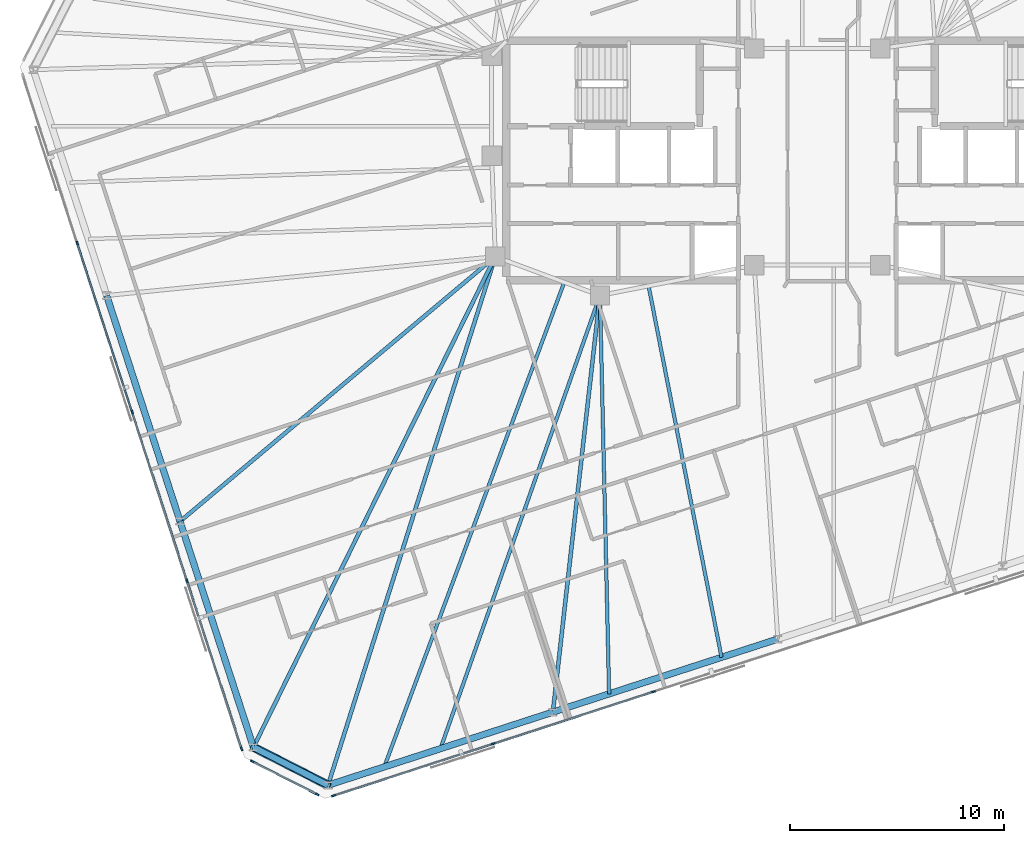
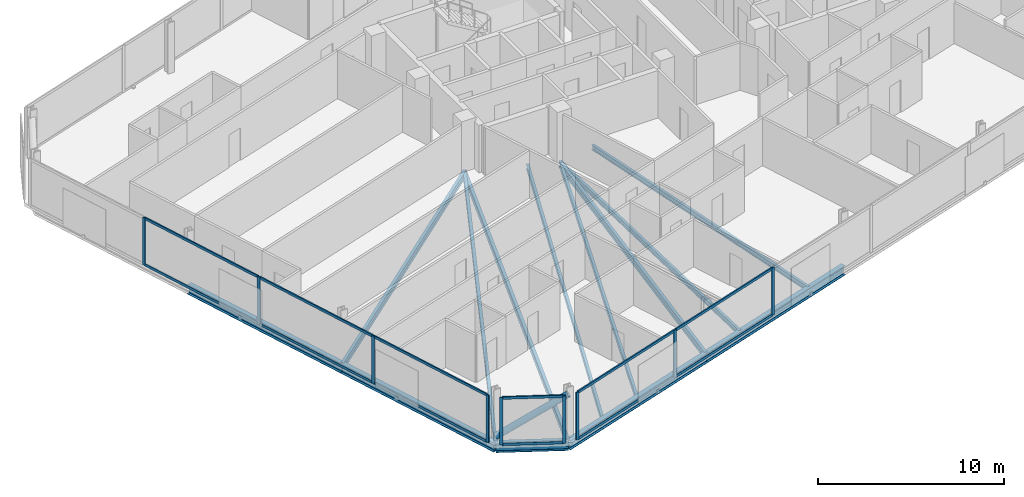
# One storey, part 5 of 19: 22 members, 13 beams, 3 elements without a shape of their own.
"""IFC4 building model written with IfcOpenShell, lengths in metres."""

from ifc_helpers import new_model, si_unit, direction, frame, origin, origin_2d, place, context, subcontext, project, spatial, rectangle, hollow_circle, i_section, extrude, material, material_profile, profile_set, type_object, element, aggregate, save


model = new_model("IFC4")

# Units and contexts
model_context = context("Model", 3, precision=1e-05, world=origin(), true_north=direction((0.0, 1.0)))
body_context = subcontext(model_context, "Body", "Model", "MODEL_VIEW")
ifc_project = project(units=[si_unit("LENGTHUNIT", "METRE"), si_unit("AREAUNIT", "SQUARE_METRE"), si_unit("VOLUMEUNIT", "CUBIC_METRE"), si_unit("PLANEANGLEUNIT", "RADIAN"), si_unit("MASSUNIT", "GRAM", prefix="KILO")], contexts=[model_context])

# Site, building, storey
site_placement = place(None, origin())
site = spatial("IfcSite", under=ifc_project, at=site_placement, CompositionType="ELEMENT")
building_placement = place(site_placement, origin())
building = spatial("IfcBuilding", under=site, at=building_placement, Name="Menara Jurai Vektor", CompositionType="ELEMENT")
storey_placement = place(building_placement, frame((0.0, 0.0, 241.050048828125)))
storey = spatial("IfcBuildingStorey", under=building, at=storey_placement, Name="L64", CompositionType="ELEMENT", Elevation=241.050048828125)

# Curtain wall, members
ifc_material_1 = material(Name="Anodised Pale Aluminium & Low-E Double Glazing", Category="aluminium")
curtain_wall_type = type_object("IfcCurtainWallType", Name="CW-BLK4", PredefinedType="NOTDEFINED", material=ifc_material_1)
curtain_wall_1_placement = place(storey_placement, origin())
curtain_wall_1 = element("IfcCurtainWall", 1, at=curtain_wall_1_placement, inside=storey, type_object=curtain_wall_type, Name="Unitised Curtain Wall L64 F01", PredefinedType="NOTDEFINED")
ifc_material_2 = material(Name="Anodised Pale Aluminium Mullion", Category="aluminium")
ifc_material_profile_1 = material_profile(ifc_material_2, rectangle(XDim=0.080078125, YDim=0.18994140625, at=origin_2d()), Name="ALU MUL 80x190")
ifc_profile_set_1 = profile_set([ifc_material_profile_1], Name="Anodised Pale Aluminium Mullion")
member_type_1 = type_object("IfcMemberType", Name="CW-BLK4-MUL", PredefinedType="MULLION", material=ifc_profile_set_1)
member_1_placement = place(storey_placement, frame((-22.649658203125, -29.743896484375, 0.0), z_axis=(0.0, 0.0, 1.0), x_axis=(-0.309017344167, 0.951056402641, 0.0)))
member_1 = element("IfcMember", 2, at=member_1_placement, type_object=member_type_1, Name="CW-04 mullion 1", PredefinedType="MULLION", context=body_context, shape_type="SweptSolid", body=[
    extrude(rectangle(XDim=0.080078125, YDim=0.18994140625, at=origin_2d()), origin(), (0.0, 0.0, 1.0), 3.125),
])
member_2_placement = place(storey_placement, frame((-15.1826171875, -27.317626953125, 0.0), z_axis=(0.0, 0.0, 1.0), x_axis=(-0.309017344167, 0.951056402641, 0.0)))
member_2 = element("IfcMember", 3, at=member_2_placement, type_object=member_type_1, Name="CW-04 mullion 2", PredefinedType="MULLION", context=body_context, shape_type="SweptSolid", body=[
    extrude(rectangle(XDim=0.080078125, YDim=0.18994140625, at=origin_2d()), origin(), (0.0, 0.0, 1.0), 3.125),
])
member_3_placement = place(storey_placement, frame((-7.677490234375, -24.879150390625, 0.0), z_axis=(0.0, 0.0, 1.0), x_axis=(-0.309017344167, 0.951056402641, 0.0)))
member_3 = element("IfcMember", 4, at=member_3_placement, type_object=member_type_1, Name="CW-04 mullion 3", PredefinedType="MULLION", context=body_context, shape_type="SweptSolid", body=[
    extrude(rectangle(XDim=0.080078125, YDim=0.18994140625, at=origin_2d()), origin(), (0.0, 0.0, 1.0), 3.125),
])

curtain_wall_2_placement = place(storey_placement, origin())
curtain_wall_2 = element("IfcCurtainWall", 5, at=curtain_wall_2_placement, inside=storey, type_object=curtain_wall_type, Name="Unitised Curtain Wall L64 F07", PredefinedType="NOTDEFINED")
member_4_placement = place(storey_placement, frame((-34.650634765625, -3.876220703125, 0.0), z_axis=(0.0, 0.0, 1.0), x_axis=(0.95105668295, 0.309016481464, 0.0)))
member_4 = element("IfcMember", 6, at=member_4_placement, type_object=member_type_1, Name="CW-04 mullion 2", PredefinedType="MULLION", context=body_context, shape_type="SweptSolid", body=[
    extrude(rectangle(XDim=0.080078125, YDim=0.18994140625, at=origin_2d()), origin(), (0.0, 0.0, 1.0), 3.125),
])
member_5_placement = place(storey_placement, frame((-32.082763671875, -11.779541015625, 0.0), z_axis=(0.0, 0.0, 1.0), x_axis=(0.95105668295, 0.309016481464, 0.0)))
member_5 = element("IfcMember", 7, at=member_5_placement, type_object=member_type_1, Name="CW-04 mullion 3", PredefinedType="MULLION", context=body_context, shape_type="SweptSolid", body=[
    extrude(rectangle(XDim=0.080078125, YDim=0.18994140625, at=origin_2d()), origin(), (0.0, 0.0, 1.0), 3.125),
])
member_6_placement = place(storey_placement, frame((-29.514892578125, -19.682861328125, 0.0), z_axis=(0.0, 0.0, 1.0), x_axis=(0.95105668295, 0.309016481464, 0.0)))
member_6 = element("IfcMember", 8, at=member_6_placement, type_object=member_type_1, Name="CW-04 mullion 4", PredefinedType="MULLION", context=body_context, shape_type="SweptSolid", body=[
    extrude(rectangle(XDim=0.080078125, YDim=0.18994140625, at=origin_2d()), origin(), (0.0, 0.0, 1.0), 3.125),
])
member_7_placement = place(storey_placement, frame((-26.959228515625, -27.548095703125, 0.0), z_axis=(0.0, 0.0, 1.0), x_axis=(0.95105668295, 0.309016481464, 0.0)))
member_7 = element("IfcMember", 9, at=member_7_placement, type_object=member_type_1, Name="CW-04 mullion 5", PredefinedType="MULLION", context=body_context, shape_type="SweptSolid", body=[
    extrude(rectangle(XDim=0.080078125, YDim=0.18994140625, at=origin_2d()), origin(), (0.0, 0.0, 1.0), 3.125),
])

curtain_wall_3_placement = place(storey_placement, origin())
curtain_wall_3 = element("IfcCurtainWall", 10, at=curtain_wall_3_placement, inside=storey, type_object=curtain_wall_type, Name="Unitised Curtain Wall L64 F08", PredefinedType="NOTDEFINED")
member_8_placement = place(storey_placement, frame((-26.455322265625, -28.13818359375, 0.0), z_axis=(0.0, 0.0, 1.0), x_axis=(0.453988579828, 0.89100750243, 0.0)))
member_8 = element("IfcMember", 11, at=member_8_placement, type_object=member_type_1, Name="CW-04 mullion 1", PredefinedType="MULLION", context=body_context, shape_type="SweptSolid", body=[
    extrude(rectangle(XDim=0.080078125, YDim=0.18994140625, at=origin_2d()), origin(), (0.0, 0.0, 1.0), 3.125),
])
member_9_placement = place(storey_placement, frame((-23.42333984375, -29.682861328125, 0.0), z_axis=(0.0, 0.0, 1.0), x_axis=(0.453988579828, 0.89100750243, 0.0)))
member_9 = element("IfcMember", 12, at=member_9_placement, type_object=member_type_1, Name="CW-04 mullion 2", PredefinedType="MULLION", context=body_context, shape_type="SweptSolid", body=[
    extrude(rectangle(XDim=0.080078125, YDim=0.18994140625, at=origin_2d()), origin(), (0.0, 0.0, 1.0), 3.125),
])

# Member
ifc_material_3 = material(Name="Anodised Pale Aluminium Transom", Category="aluminium")
ifc_material_profile_2 = material_profile(ifc_material_3, rectangle(XDim=0.080078125, YDim=0.1650390625, at=origin_2d()), Name="ALU TRN 80x165")
ifc_profile_set_2 = profile_set([ifc_material_profile_2], Name="Anodised Pale Aluminium Transom")
member_type_2 = type_object("IfcMemberType", Name="CW-BLK4-TRN", PredefinedType="USERDEFINED", material=ifc_profile_set_2)
member_10_placement = place(storey_placement, frame((-22.61181640625, -29.7314453125, 0.0400390625), z_axis=(0.951062230089, 0.308999408573, 0.0), x_axis=(-0.308999408573, 0.951062230089, 0.0)))
member_10 = element("IfcMember", 13, at=member_10_placement, type_object=member_type_2, Name="CW-04 transom 1.1", ObjectType="TRANSOM", PredefinedType="USERDEFINED", context=body_context, shape_type="SweptSolid", body=[
    extrude(rectangle(XDim=0.080078125, YDim=0.1650390625, at=origin_2d()), origin(), (0.0, 0.0, 1.0), 7.771484375),
])

member_11_placement = place(storey_placement, frame((-22.61181640625, -29.7314453125, 3.0849609375), z_axis=(0.951062230089, 0.308999408573, 0.0), x_axis=(-0.308999408573, 0.951062230089, 0.0)))
member_11 = element("IfcMember", 14, at=member_11_placement, type_object=member_type_2, Name="CW-04 transom 1.2", ObjectType="TRANSOM", PredefinedType="USERDEFINED", context=body_context, shape_type="SweptSolid", body=[
    extrude(rectangle(XDim=0.080078125, YDim=0.1650390625, at=origin_2d()), origin(), (0.0, 0.0, 1.0), 7.771484375),
])

member_12_placement = place(storey_placement, frame((-15.14453125, -27.30517578125, 0.0400390625), z_axis=(0.95105634578, 0.309017519167, 0.0), x_axis=(-0.309017519167, 0.95105634578, 0.0)))
member_12 = element("IfcMember", 15, at=member_12_placement, type_object=member_type_2, Name="CW-04 transom 2.1", ObjectType="TRANSOM", PredefinedType="USERDEFINED", context=body_context, shape_type="SweptSolid", body=[
    extrude(rectangle(XDim=0.080078125, YDim=0.1650390625, at=origin_2d()), origin(), (0.0, 0.0, 1.0), 7.811279296875),
])

member_13_placement = place(storey_placement, frame((-15.14453125, -27.30517578125, 3.0849609375), z_axis=(0.95105634578, 0.309017519167, 0.0), x_axis=(-0.309017519167, 0.95105634578, 0.0)))
member_13 = element("IfcMember", 16, at=member_13_placement, type_object=member_type_2, Name="CW-04 transom 2.2", ObjectType="TRANSOM", PredefinedType="USERDEFINED", context=body_context, shape_type="SweptSolid", body=[
    extrude(rectangle(XDim=0.080078125, YDim=0.1650390625, at=origin_2d()), origin(), (0.0, 0.0, 1.0), 7.811279296875),
])

aggregate(curtain_wall_1, [member_1, member_2, member_3, member_10, member_11, member_12, member_13])

member_14_placement = place(storey_placement, frame((-34.638427734375, -3.914306640625, 0.0400390625), z_axis=(0.309018994408, -0.951055866443, 0.0), x_axis=(0.951055866443, 0.309018994408, 0.0)))
member_14 = element("IfcMember", 17, at=member_14_placement, type_object=member_type_2, Name="CW-04 transom 2.1", ObjectType="TRANSOM", PredefinedType="USERDEFINED", context=body_context, shape_type="SweptSolid", body=[
    extrude(rectangle(XDim=0.080078125, YDim=0.1650390625, at=origin_2d()), origin(), (0.0, 0.0, 1.0), 8.22998046875),
])

member_15_placement = place(storey_placement, frame((-34.638427734375, -3.914306640625, 3.0849609375), z_axis=(0.309018994408, -0.951055866443, 0.0), x_axis=(0.951055866443, 0.309018994408, 0.0)))
member_15 = element("IfcMember", 18, at=member_15_placement, type_object=member_type_2, Name="CW-04 transom 2.2", ObjectType="TRANSOM", PredefinedType="USERDEFINED", context=body_context, shape_type="SweptSolid", body=[
    extrude(rectangle(XDim=0.080078125, YDim=0.1650390625, at=origin_2d()), origin(), (0.0, 0.0, 1.0), 8.22998046875),
])

member_16_placement = place(storey_placement, frame((-32.0703125, -11.817626953125, 0.0400390625), z_axis=(0.309018994408, -0.951055866443, 0.0), x_axis=(0.951055866443, 0.309018994408, 0.0)))
member_16 = element("IfcMember", 19, at=member_16_placement, type_object=member_type_2, Name="CW-04 transom 3.1", ObjectType="TRANSOM", PredefinedType="USERDEFINED", context=body_context, shape_type="SweptSolid", body=[
    extrude(rectangle(XDim=0.080078125, YDim=0.1650390625, at=origin_2d()), origin(), (0.0, 0.0, 1.0), 8.22998046875),
])

member_17_placement = place(storey_placement, frame((-32.0703125, -11.817626953125, 3.0849609375), z_axis=(0.309018994408, -0.951055866443, 0.0), x_axis=(0.951055866443, 0.309018994408, 0.0)))
member_17 = element("IfcMember", 20, at=member_17_placement, type_object=member_type_2, Name="CW-04 transom 3.2", ObjectType="TRANSOM", PredefinedType="USERDEFINED", context=body_context, shape_type="SweptSolid", body=[
    extrude(rectangle(XDim=0.080078125, YDim=0.1650390625, at=origin_2d()), origin(), (0.0, 0.0, 1.0), 8.22998046875),
])

member_18_placement = place(storey_placement, frame((-29.50244140625, -19.720947265625, 0.0400390625), z_axis=(0.309010577384, -0.951058601278, 0.0), x_axis=(0.951058601278, 0.309010577384, 0.0)))
member_18 = element("IfcMember", 21, at=member_18_placement, type_object=member_type_2, Name="CW-04 transom 4.1", ObjectType="TRANSOM", PredefinedType="USERDEFINED", context=body_context, shape_type="SweptSolid", body=[
    extrude(rectangle(XDim=0.080078125, YDim=0.1650390625, at=origin_2d()), origin(), (0.0, 0.0, 1.0), 8.18994140625),
])

member_19_placement = place(storey_placement, frame((-29.50244140625, -19.720947265625, 3.0849609375), z_axis=(0.309010577384, -0.951058601278, 0.0), x_axis=(0.951058601278, 0.309010577384, 0.0)))
member_19 = element("IfcMember", 22, at=member_19_placement, type_object=member_type_2, Name="CW-04 transom 4.2", ObjectType="TRANSOM", PredefinedType="USERDEFINED", context=body_context, shape_type="SweptSolid", body=[
    extrude(rectangle(XDim=0.080078125, YDim=0.1650390625, at=origin_2d()), origin(), (0.0, 0.0, 1.0), 8.18994140625),
])

aggregate(curtain_wall_2, [member_4, member_5, member_6, member_7, member_14, member_15, member_16, member_17, member_18, member_19])

member_20_placement = place(storey_placement, frame((-26.419677734375, -28.15625, 0.0400390625), z_axis=(0.89100697374, -0.453989617444, 0.0), x_axis=(0.453989617444, 0.89100697374, 0.0)))
member_20 = element("IfcMember", 23, at=member_20_placement, type_object=member_type_2, Name="CW-04 transom 1.1", ObjectType="TRANSOM", PredefinedType="USERDEFINED", context=body_context, shape_type="SweptSolid", body=[
    extrude(rectangle(XDim=0.080078125, YDim=0.1650390625, at=origin_2d()), origin(), (0.0, 0.0, 1.0), 3.32275390625),
])

member_21_placement = place(storey_placement, frame((-26.419677734375, -28.15625, 3.0849609375), z_axis=(0.89100697374, -0.453989617444, 0.0), x_axis=(0.453989617444, 0.89100697374, 0.0)))
member_21 = element("IfcMember", 24, at=member_21_placement, type_object=member_type_2, Name="CW-04 transom 1.2", ObjectType="TRANSOM", PredefinedType="USERDEFINED", context=body_context, shape_type="SweptSolid", body=[
    extrude(rectangle(XDim=0.080078125, YDim=0.1650390625, at=origin_2d()), origin(), (0.0, 0.0, 1.0), 3.32275390625),
])

aggregate(curtain_wall_3, [member_8, member_9, member_20, member_21])

# Beams
ifc_material_4 = material(Name="Steel S355", Category="steel")
ifc_material_profile_3 = material_profile(ifc_material_4, i_section(OverallWidth=0.18505859375, OverallDepth=0.429931640625, WebThickness=0.010986328125, FlangeThickness=0.01806640625, at=origin_2d()), Name="PG 430x185x76")
ifc_profile_set_3 = profile_set([ifc_material_profile_3], Name="Steel S355")
beam_type_1 = type_object("IfcBeamType", Name="STR-BM-430", PredefinedType="BEAM", material=ifc_profile_set_3)
beam_1_placement = place(storey_placement, frame((-22.912841796875, -29.2509765625, -0.43994140625), z_axis=(0.301715059084, 0.953398145122, 0.0), x_axis=(-0.953398145122, 0.301715059084, 0.0)))
element("IfcBeam", 25, at=beam_1_placement, inside=storey, type_object=beam_type_1, Name="Radial Floor Girder L64-S1", PredefinedType="BEAM", context=body_context, shape_type="SweptSolid", body=[
    extrude(i_section(OverallWidth=0.18505859375, OverallDepth=0.429931640625, WebThickness=0.010986328125, FlangeThickness=0.01806640625, at=origin_2d()), origin(), (0.0, 0.0, 1.0), 25.960693359375),
])
beam_2_placement = place(storey_placement, frame((-12.383544921875, -25.829833984375, -0.43994140625), z_axis=(0.112235588534, 0.993681625404, 0.0), x_axis=(-0.993681625404, 0.112235588534, 0.0)))
element("IfcBeam", 26, at=beam_2_placement, inside=storey, type_object=beam_type_1, Name="Radial Floor Girder L64-S2", PredefinedType="BEAM", context=body_context, shape_type="SweptSolid", body=[
    extrude(i_section(OverallWidth=0.18505859375, OverallDepth=0.429931640625, WebThickness=0.010986328125, FlangeThickness=0.01806640625, at=origin_2d()), origin(), (0.0, 0.0, 1.0), 19.6337890625),
])
beam_3_placement = place(storey_placement, frame((-29.841796875, -16.896728515625, -0.43994140625), z_axis=(0.765784449649, 0.64309733064, 0.0), x_axis=(-0.64309733064, 0.765784449649, 0.0)))
element("IfcBeam", 27, at=beam_3_placement, inside=storey, type_object=beam_type_1, Name="Radial Floor Girder L64-W3", PredefinedType="BEAM", context=body_context, shape_type="SweptSolid", body=[
    extrude(i_section(OverallWidth=0.18505859375, OverallDepth=0.429931640625, WebThickness=0.010986328125, FlangeThickness=0.01806640625, at=origin_2d()), origin(), (0.0, 0.0, 1.0), 19.276611328125),
])
beam_4_placement = place(storey_placement, frame((-26.406005859375, -27.47119140625, -0.43994140625), z_axis=(0.442219272094, 0.896906971424, 0.0), x_axis=(-0.896906971424, 0.442219272094, 0.0)))
element("IfcBeam", 28, at=beam_4_placement, inside=storey, type_object=beam_type_1, Name="Radial Floor Girder L64-W4", PredefinedType="BEAM", context=body_context, shape_type="SweptSolid", body=[
    extrude(i_section(OverallWidth=0.18505859375, OverallDepth=0.429931640625, WebThickness=0.010986328125, FlangeThickness=0.01806640625, at=origin_2d()), origin(), (0.0, 0.0, 1.0), 25.611572265625),
])

# Member
ifc_material_5 = material(Name="Steel S460", Category="steel")
ifc_material_profile_4 = material_profile(ifc_material_5, hollow_circle(Radius=0.203125, WallThickness=0.01611328125, at=origin_2d()), Name="CHS 406.4x16")
ifc_profile_set_4 = profile_set([ifc_material_profile_4], Name="Steel S460")
member_type_3 = type_object("IfcMemberType", Name="STR-BR-406", PredefinedType="BRACE", material=ifc_profile_set_4)
member_22_placement = place(storey_placement, frame((-26.406005859375, -27.47119140625, 0.14990234375), z_axis=(0.740375367811, -0.377225079071, 0.556368182465), x_axis=(0.453976155955, 0.891013832566, 0.0)))
element("IfcMember", 29, at=member_22_placement, inside=storey, type_object=member_type_3, Name="Exoskeleton Corner Brace L64-4", PredefinedType="BRACE", context=body_context, shape_type="SweptSolid", body=[
    extrude(hollow_circle(Radius=0.203125, WallThickness=0.01611328125, at=origin_2d()), origin(), (0.0, 0.0, 1.0), 4.718017578125),
])

# Beams
ifc_material_profile_5 = material_profile(ifc_material_4, i_section(OverallWidth=0.1650390625, OverallDepth=0.330078125, WebThickness=0.009033203125, FlangeThickness=0.013916015625, at=origin_2d()), Name="PG 330x165x46")
ifc_profile_set_5 = profile_set([ifc_material_profile_5], Name="Steel S355")
beam_type_2 = type_object("IfcBeamType", Name="STR-JS-330", PredefinedType="JOIST", material=ifc_profile_set_5)
beam_5_placement = place(storey_placement, frame((-20.280517578125, -28.395751953125, -0.39013671875), z_axis=(0.348182225555, 0.937426870645, 0.0), x_axis=(-0.937426870645, 0.348182225555, 0.0)))
element("IfcBeam", 30, at=beam_5_placement, inside=storey, type_object=beam_type_2, Name="Radial Secondary Floor Joist L64-JS01", PredefinedType="JOIST", context=body_context, shape_type="SweptSolid", body=[
    extrude(i_section(OverallWidth=0.1650390625, OverallDepth=0.330078125, WebThickness=0.009033203125, FlangeThickness=0.013916015625, at=origin_2d()), origin(), (0.0, 0.0, 1.0), 24.211181640625),
])
beam_6_placement = place(storey_placement, frame((-17.648193359375, -27.540283203125, -0.39013671875), z_axis=(0.331980963321, 0.943286085974, 0.0), x_axis=(-0.943286085974, 0.331980963321, 0.0)))
element("IfcBeam", 31, at=beam_6_placement, inside=storey, type_object=beam_type_2, Name="Radial Secondary Floor Joist L64-JS02", PredefinedType="JOIST", context=body_context, shape_type="SweptSolid", body=[
    extrude(i_section(OverallWidth=0.1650390625, OverallDepth=0.330078125, WebThickness=0.009033203125, FlangeThickness=0.013916015625, at=origin_2d()), origin(), (0.0, 0.0, 1.0), 22.49609375),
])
beam_7_placement = place(storey_placement, frame((-9.751220703125, -24.974609375, -0.39013671875), z_axis=(-0.022975519442, 0.999736027913, 0.0), x_axis=(-0.999736027913, -0.022975519442, 0.0)))
element("IfcBeam", 32, at=beam_7_placement, inside=storey, type_object=beam_type_2, Name="Radial Secondary Floor Joist L64-JS03", PredefinedType="JOIST", context=body_context, shape_type="SweptSolid", body=[
    extrude(i_section(OverallWidth=0.1650390625, OverallDepth=0.330078125, WebThickness=0.009033203125, FlangeThickness=0.013916015625, at=origin_2d()), origin(), (0.0, 0.0, 1.0), 18.659423828125),
])
beam_8_placement = place(storey_placement, frame((-4.486572265625, -23.263916015625, -0.39013671875), z_axis=(-0.192724225092, 0.981252960792, 0.0), x_axis=(-0.981252960792, -0.192724225092, 0.0)))
element("IfcBeam", 33, at=beam_8_placement, inside=storey, type_object=beam_type_2, Name="Radial Secondary Floor Joist L64-JS04", PredefinedType="JOIST", context=body_context, shape_type="SweptSolid", body=[
    extrude(i_section(OverallWidth=0.1650390625, OverallDepth=0.330078125, WebThickness=0.009033203125, FlangeThickness=0.013916015625, at=origin_2d()), origin(), (0.0, 0.0, 1.0), 17.7236328125),
])
ifc_material_profile_6 = material_profile(ifc_material_4, i_section(OverallWidth=0.306884765625, OverallDepth=0.6201171875, WebThickness=0.013916015625, FlangeThickness=0.02392578125, FilletRadius=0.01708984375, at=origin_2d()), Name="UKB 610x305x179")
ifc_profile_set_6 = profile_set([ifc_material_profile_6], Name="Steel S355")
beam_type_3 = type_object("IfcBeamType", Name="STR-SP-610", PredefinedType="SPANDREL", material=ifc_profile_set_6)
for number, where, z_axis, x_axis, name in (
    (34, (-22.912841796875, -29.2509765625, -0.53515625), (0.951057401967, 0.309014268544, 0.0), (-0.309014268544, 0.951057401967, 0.0), "Exoskeleton Spandrel Beam L64-01"),
    (35, (-12.383544921875, -25.829833984375, -0.53515625), (0.951057401967, 0.309014268544, 0.0), (-0.309014268544, 0.951057401967, 0.0), "Exoskeleton Spandrel Beam L64-02"),
):
    element("IfcBeam", number, at=place(storey_placement, frame(where, z_axis=z_axis, x_axis=x_axis)), inside=storey, type_object=beam_type_3, Name=name, PredefinedType="SPANDREL", context=body_context, shape_type="SweptSolid", body=[
        extrude(i_section(OverallWidth=0.306884765625, OverallDepth=0.6201171875, WebThickness=0.013916015625, FlangeThickness=0.02392578125, FilletRadius=0.01708984375, at=origin_2d()), origin(), (0.0, 0.0, 1.0), 11.071044921875),
    ])
beam_9_placement = place(storey_placement, frame((-33.277587890625, -6.322509765625, -0.53515625), z_axis=(0.309018545885, -0.951056012178, 0.0), x_axis=(0.951056012178, 0.309018545885, 0.0)))
element("IfcBeam", 36, at=beam_9_placement, inside=storey, type_object=beam_type_3, Name="Exoskeleton Spandrel Beam L64-18", PredefinedType="SPANDREL", context=body_context, shape_type="SweptSolid", body=[
    extrude(i_section(OverallWidth=0.306884765625, OverallDepth=0.6201171875, WebThickness=0.013916015625, FlangeThickness=0.02392578125, FilletRadius=0.01708984375, at=origin_2d()), origin(), (0.0, 0.0, 1.0), 11.118408203125),
])
beam_10_placement = place(storey_placement, frame((-29.841796875, -16.896728515625, -0.53515625), z_axis=(0.309012092614, -0.95105810896, 0.0), x_axis=(0.95105810896, 0.309012092614, 0.0)))
element("IfcBeam", 37, at=beam_10_placement, inside=storey, type_object=beam_type_3, Name="Exoskeleton Spandrel Beam L64-19", PredefinedType="SPANDREL", context=body_context, shape_type="SweptSolid", body=[
    extrude(i_section(OverallWidth=0.306884765625, OverallDepth=0.6201171875, WebThickness=0.013916015625, FlangeThickness=0.02392578125, FilletRadius=0.01708984375, at=origin_2d()), origin(), (0.0, 0.0, 1.0), 11.11865234375),
])
beam_11_placement = place(storey_placement, frame((-26.406005859375, -27.47119140625, -0.53515625), z_axis=(0.891013832566, -0.453976155955, 0.0), x_axis=(0.453976155955, 0.891013832566, 0.0)))
element("IfcBeam", 38, at=beam_11_placement, inside=storey, type_object=beam_type_3, Name="Exoskeleton Spandrel Beam L64-20", PredefinedType="SPANDREL", context=body_context, shape_type="SweptSolid", body=[
    extrude(i_section(OverallWidth=0.306884765625, OverallDepth=0.6201171875, WebThickness=0.013916015625, FlangeThickness=0.02392578125, FilletRadius=0.01708984375, at=origin_2d()), origin(), (0.0, 0.0, 1.0), 3.92041015625),
])

save(model, "model.ifc")
